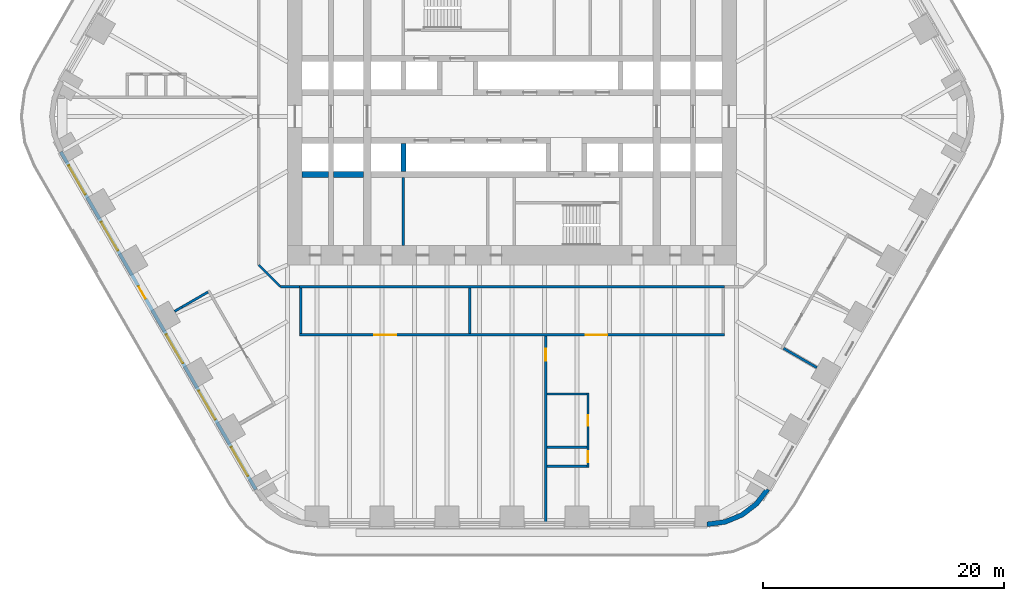
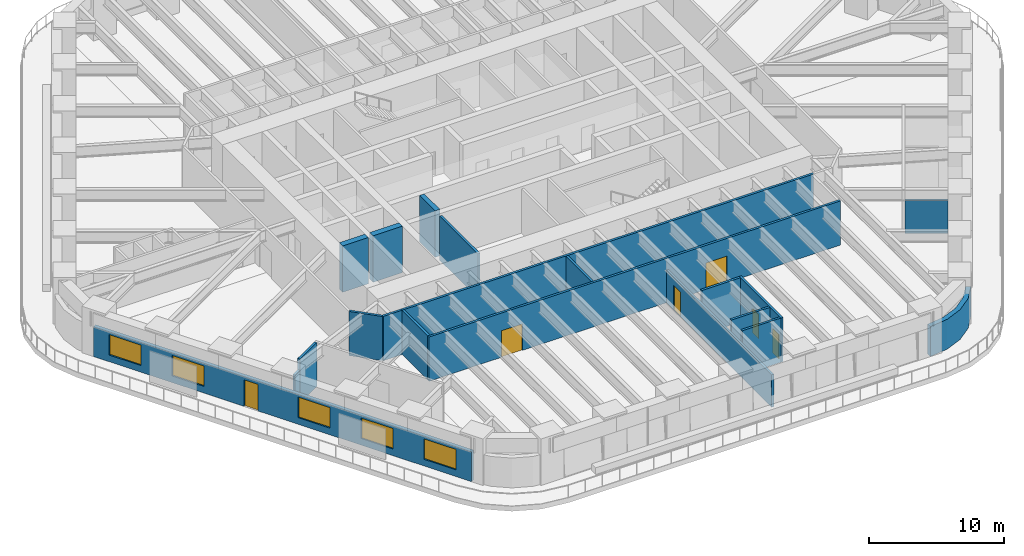
# One storey, part 16 of 23: 20 walls, 6 doors, 5 windows, 11 openings.
"""IFC4 building model written with IfcOpenShell, lengths in metres."""

from ifc_helpers import new_model, si_unit, direction, frame, frame_2d, origin, place, context, subcontext, project, spatial, polyline, rectangle, outline, extrude, material, layer, layer_set, type_object, element, fill, save


model = new_model("IFC4")

# Units and contexts
model_context = context("Model", 3, precision=1e-05, world=origin(), true_north=direction((0.0, 1.0)))
body_context = subcontext(model_context, "Body", "Model", "MODEL_VIEW")
ifc_project = project(units=[si_unit("LENGTHUNIT", "METRE"), si_unit("AREAUNIT", "SQUARE_METRE"), si_unit("VOLUMEUNIT", "CUBIC_METRE"), si_unit("PLANEANGLEUNIT", "RADIAN"), si_unit("MASSUNIT", "GRAM", prefix="KILO")], contexts=[model_context])

# Site, building, storey
site_placement = place(None, origin())
site = spatial("IfcSite", under=ifc_project, at=site_placement, CompositionType="ELEMENT")
building_placement = place(site_placement, origin())
building = spatial("IfcBuilding", under=site, at=building_placement, Name="Tarfa Lantern Tower", CompositionType="ELEMENT")
storey_placement = place(building_placement, frame((0.0, 0.0, 78.10009765625)))
storey = spatial("IfcBuildingStorey", under=building, at=storey_placement, Name="L17", CompositionType="ELEMENT", Elevation=78.10009765625)

# Wall, openings, door, windows
ifc_material_1 = material(Name="Limestone cladding on blockwork", Category="masonry")
ifc_layer_1 = layer(ifc_material_1, 0.300048828125)
ifc_layer_set_1 = layer_set([ifc_layer_1], Name="EW1 STONE-CLAD WALL 300")
wall_type_1 = type_object("IfcWallType", Name="EW1 STONE-CLAD WALL 300", PredefinedType="SOLIDWALL", material=ifc_layer_set_1)
wall_1_placement = place(storey_placement, frame((-37.39794921875, -2.925048828125, 0.0), z_axis=(0.0, 0.0, 1.0), x_axis=(0.499999163675, -0.866025886636, 0.0)))
wall_1 = element("IfcWall", 1, at=wall_1_placement, inside=storey, type_object=wall_type_1, Name="Stone wall SW", PredefinedType="SOLIDWALL", context=body_context, shape_type="SweptSolid", body=[
    extrude(rectangle(XDim=32.33154296875, YDim=0.300048828125, at=frame_2d((16.165771484375, 0.0))), origin(), (0.0, 0.0, 1.0), 2.699951171875),
])
opening_1_placement = place(wall_1_placement, frame((1.3193359375, 0.0, 0.60009765625)))
opening_1 = element("IfcOpeningElement", 2, at=opening_1_placement, cuts=wall_1, Name="Opening W2", PredefinedType="OPENING", context=body_context, shape_type="SweptSolid", body=[
    extrude(rectangle(XDim=2.75, YDim=1.85009765625, at=frame_2d((1.375, 0.925048828125))), frame((0.0, 0.159912109375, 0.0), z_axis=(0.0, -1.0, 0.0), x_axis=(1.0, 0.0, 0.0)), (0.0, 0.0, 1.0), 0.320068359375),
])
opening_2_placement = place(wall_1_placement, frame((6.7080078125, 0.0, 0.60009765625)))
opening_2 = element("IfcOpeningElement", 3, at=opening_2_placement, cuts=wall_1, Name="Opening W2", PredefinedType="OPENING", context=body_context, shape_type="SweptSolid", body=[
    extrude(rectangle(XDim=2.75, YDim=1.85009765625, at=frame_2d((1.375, 0.925048828125))), frame((0.0, 0.159912109375, 0.0), z_axis=(0.0, -1.0, 0.0), x_axis=(1.0, 0.0, 0.0)), (0.0, 0.0, 1.0), 0.320068359375),
])
opening_3_placement = place(wall_1_placement, frame((12.87158203125, 0.0, 0.0)))
opening_3 = element("IfcOpeningElement", 4, at=opening_3_placement, cuts=wall_1, Name="Opening D49", PredefinedType="OPENING", context=body_context, shape_type="SweptSolid", body=[
    extrude(rectangle(XDim=1.199951171875, YDim=2.39990234375, at=frame_2d((0.60009765625, 1.199951171875))), frame((0.0, 0.159912109375, 0.0), z_axis=(0.0, -1.0, 0.0), x_axis=(1.0, 0.0, 0.0)), (0.0, 0.0, 1.0), 0.320068359375),
])
opening_4_placement = place(wall_1_placement, frame((17.485107421875, 0.0, 0.60009765625)))
opening_4 = element("IfcOpeningElement", 5, at=opening_4_placement, cuts=wall_1, Name="Opening W2", PredefinedType="OPENING", context=body_context, shape_type="SweptSolid", body=[
    extrude(rectangle(XDim=2.75, YDim=1.85009765625, at=frame_2d((1.375, 0.925048828125))), frame((0.0, 0.159912109375, 0.0), z_axis=(0.0, -1.0, 0.0), x_axis=(1.0, 0.0, 0.0)), (0.0, 0.0, 1.0), 0.320068359375),
])
opening_5_placement = place(wall_1_placement, frame((22.873779296875, 0.0, 0.60009765625)))
opening_5 = element("IfcOpeningElement", 6, at=opening_5_placement, cuts=wall_1, Name="Opening W2", PredefinedType="OPENING", context=body_context, shape_type="SweptSolid", body=[
    extrude(rectangle(XDim=2.75, YDim=1.85009765625, at=frame_2d((1.375, 0.925048828125))), frame((0.0, 0.159912109375, 0.0), z_axis=(0.0, -1.0, 0.0), x_axis=(1.0, 0.0, 0.0)), (0.0, 0.0, 1.0), 0.320068359375),
])
opening_6_placement = place(wall_1_placement, frame((28.26220703125, 0.0, 0.60009765625)))
opening_6 = element("IfcOpeningElement", 7, at=opening_6_placement, cuts=wall_1, Name="Opening W2", PredefinedType="OPENING", context=body_context, shape_type="SweptSolid", body=[
    extrude(rectangle(XDim=2.75, YDim=1.85009765625, at=frame_2d((1.375, 0.925048828125))), frame((0.0, 0.159912109375, 0.0), z_axis=(0.0, -1.0, 0.0), x_axis=(1.0, 0.0, 0.0)), (0.0, 0.0, 1.0), 0.320068359375),
])
ifc_material_2 = material(Name="Aluminium framed glazed door", Category="aluminium")
door_type_1 = type_object("IfcDoorType", Name="BE3 BALCONY DOOR 1200x2400", OperationType="SINGLE_SWING_RIGHT", PredefinedType="DOOR", material=ifc_material_2)
door_1_placement = place(opening_3_placement, origin())
door_1 = element("IfcDoor", 8, at=door_1_placement, inside=storey, type_object=door_type_1, Name="Balcony door SW", OperationType="SINGLE_SWING_LEFT", OverallHeight=2.39990234375, OverallWidth=1.199951171875, PredefinedType="DOOR", context=body_context, shape_type="SweptSolid", body=[
    extrude(rectangle(XDim=1.199951171875, YDim=2.39990234375, at=frame_2d((0.60009765625, 1.199951171875))), frame((0.0, 0.02490234375, 0.0), z_axis=(0.0, -1.0, 0.0), x_axis=(1.0, 0.0, 0.0)), (0.0, 0.0, 1.0), 0.050048828125),
])
fill(opening_3, door_1)
ifc_material_3 = material(Name="Aluminium frame, double glazed", Category="aluminium")
window_type = type_object("IfcWindowType", Name="W2 FULL-HEIGHT GLAZING 2750x1850", PartitioningType="SINGLE_PANEL", PredefinedType="WINDOW", material=ifc_material_3)
window_1_placement = place(opening_1_placement, origin())
window_1 = element("IfcWindow", 9, at=window_1_placement, inside=storey, type_object=window_type, Name="Window SW 1", OverallHeight=1.85009765625, OverallWidth=2.75, PartitioningType="SINGLE_PANEL", PredefinedType="WINDOW", context=body_context, shape_type="SweptSolid", body=[
    extrude(rectangle(XDim=2.75, YDim=1.85009765625, at=frame_2d((1.375, 0.925048828125))), frame((0.0, 0.030029296875, 0.0), z_axis=(0.0, -1.0, 0.0), x_axis=(1.0, 0.0, 0.0)), (0.0, 0.0, 1.0), 0.06005859375),
])
fill(opening_1, window_1)
window_2_placement = place(opening_2_placement, origin())
window_2 = element("IfcWindow", 10, at=window_2_placement, inside=storey, type_object=window_type, Name="Window SW 2", OverallHeight=1.85009765625, OverallWidth=2.75, PartitioningType="SINGLE_PANEL", PredefinedType="WINDOW", context=body_context, shape_type="SweptSolid", body=[
    extrude(rectangle(XDim=2.75, YDim=1.85009765625, at=frame_2d((1.375, 0.925048828125))), frame((0.0, 0.030029296875, 0.0), z_axis=(0.0, -1.0, 0.0), x_axis=(1.0, 0.0, 0.0)), (0.0, 0.0, 1.0), 0.06005859375),
])
fill(opening_2, window_2)
window_3_placement = place(opening_4_placement, origin())
window_3 = element("IfcWindow", 11, at=window_3_placement, inside=storey, type_object=window_type, Name="Window SW 4", OverallHeight=1.85009765625, OverallWidth=2.75, PartitioningType="SINGLE_PANEL", PredefinedType="WINDOW", context=body_context, shape_type="SweptSolid", body=[
    extrude(rectangle(XDim=2.75, YDim=1.85009765625, at=frame_2d((1.375, 0.925048828125))), frame((0.0, 0.030029296875, 0.0), z_axis=(0.0, -1.0, 0.0), x_axis=(1.0, 0.0, 0.0)), (0.0, 0.0, 1.0), 0.06005859375),
])
fill(opening_4, window_3)
window_4_placement = place(opening_5_placement, origin())
window_4 = element("IfcWindow", 12, at=window_4_placement, inside=storey, type_object=window_type, Name="Window SW 5", OverallHeight=1.85009765625, OverallWidth=2.75, PartitioningType="SINGLE_PANEL", PredefinedType="WINDOW", context=body_context, shape_type="SweptSolid", body=[
    extrude(rectangle(XDim=2.75, YDim=1.85009765625, at=frame_2d((1.375, 0.925048828125))), frame((0.0, 0.030029296875, 0.0), z_axis=(0.0, -1.0, 0.0), x_axis=(1.0, 0.0, 0.0)), (0.0, 0.0, 1.0), 0.06005859375),
])
fill(opening_5, window_4)
window_5_placement = place(opening_6_placement, origin())
window_5 = element("IfcWindow", 13, at=window_5_placement, inside=storey, type_object=window_type, Name="Window SW 6", OverallHeight=1.85009765625, OverallWidth=2.75, PartitioningType="SINGLE_PANEL", PredefinedType="WINDOW", context=body_context, shape_type="SweptSolid", body=[
    extrude(rectangle(XDim=2.75, YDim=1.85009765625, at=frame_2d((1.375, 0.925048828125))), frame((0.0, 0.030029296875, 0.0), z_axis=(0.0, -1.0, 0.0), x_axis=(1.0, 0.0, 0.0)), (0.0, 0.0, 1.0), 0.06005859375),
])
fill(opening_6, window_5)

# Walls
ifc_layer_2 = layer(ifc_material_1, 0.39990234375)
ifc_layer_set_2 = layer_set([ifc_layer_2], Name="EW2 CURVED STONE CORNER 400")
wall_type_2 = type_object("IfcWallType", Name="EW2 CURVED STONE CORNER 400", PredefinedType="SOLIDWALL", material=ifc_layer_set_2)
wall_2_placement = place(storey_placement, origin())
element("IfcWall", 14, at=wall_2_placement, inside=storey, type_object=wall_type_2, Name="Stone corner S-SE", PredefinedType="SOLIDWALL", context=body_context, shape_type="SweptSolid", body=[
    extrude(outline(polyline([(16.165771484375, -34.0), (17.71875, -33.795654296875), (19.165771484375, -33.196044921875), (20.408447265625, -32.24267578125), (21.362060546875, -31.0), (21.015625, -30.800048828125), (20.12548828125, -31.959716796875), (18.9658203125, -32.849853515625), (17.615234375, -33.4091796875), (16.165771484375, -33.60009765625), (16.165771484375, -34.0)])), origin(), (0.0, 0.0, 1.0), 2.699951171875),
])
ifc_material_4 = material(Name="Concrete blockwork", Category="masonry")
ifc_layer_3 = layer(ifc_material_4, 0.199951171875)
ifc_layer_set_3 = layer_set([ifc_layer_3], Name="IW1 BLOCKWORK PARTITION 200 EI 120")
wall_type_3 = type_object("IfcWallType", Name="IW1 BLOCKWORK PARTITION 200 EI 120", PredefinedType="PARTITIONING", material=ifc_layer_set_3)
wall_3_placement = place(storey_placement, frame((-9.0, -5.050048828125, 0.0), z_axis=(0.0, 0.0, 1.0), x_axis=(0.0, -1.0, 0.0)))
element("IfcWall", 15, at=wall_3_placement, inside=storey, type_object=wall_type_3, Name="Core partition", PredefinedType="PARTITIONING", context=body_context, shape_type="SweptSolid", body=[
    extrude(rectangle(XDim=5.64990234375, YDim=0.199951171875, at=frame_2d((2.824951171875, 0.0))), origin(), (0.0, 0.0, 1.0), 4.0),
])
ifc_material_5 = material(Name="Gypsum board on steel studs", Category="steel")
ifc_layer_4 = layer(ifc_material_5, 0.2099609375)
ifc_layer_set_4 = layer_set([ifc_layer_4], Name="IW2 ACOUSTIC PARTITION 200")
wall_type_4 = type_object("IfcWallType", Name="IW2 ACOUSTIC PARTITION 200", PredefinedType="PARTITIONING", material=ifc_layer_set_4)
wall_4_placement = place(storey_placement, frame((17.60009765625, -14.10009765625, 0.0), z_axis=(0.0, 0.0, 1.0), x_axis=(-1.0, 0.0, 0.0)))
element("IfcWall", 16, at=wall_4_placement, inside=storey, type_object=wall_type_4, Name="Partition", PredefinedType="PARTITIONING", context=body_context, shape_type="SweptSolid", body=[
    extrude(rectangle(XDim=35.2001953125, YDim=0.199951171875, at=frame_2d((17.60009765625, 0.0))), origin(), (0.0, 0.0, 1.0), 4.0),
])

# Wall, openings, doors
wall_5_placement = place(storey_placement, frame((17.60009765625, -18.10009765625, 0.0), z_axis=(0.0, 0.0, 1.0), x_axis=(-1.0, 0.0, 0.0)))
wall_5 = element("IfcWall", 17, at=wall_5_placement, inside=storey, type_object=wall_type_4, Name="Partition", PredefinedType="PARTITIONING", context=body_context, shape_type="SweptSolid", body=[
    extrude(rectangle(XDim=35.2001953125, YDim=0.199951171875, at=frame_2d((17.60009765625, 0.0))), origin(), (0.0, 0.0, 1.0), 4.0),
])
opening_7_placement = place(wall_5_placement, frame((9.699951171875, 0.0, 0.0)))
opening_7 = element("IfcOpeningElement", 18, at=opening_7_placement, cuts=wall_5, Name="Opening D35", PredefinedType="OPENING", context=body_context, shape_type="SweptSolid", body=[
    extrude(rectangle(XDim=1.800048828125, YDim=2.39990234375, at=frame_2d((0.89990234375, 1.199951171875))), frame((0.0, 0.10986328125, 0.0), z_axis=(0.0, -1.0, 0.0), x_axis=(1.0, 0.0, 0.0)), (0.0, 0.0, 1.0), 0.219970703125),
])
opening_8_placement = place(wall_5_placement, frame((27.199951171875, 0.0, 0.0)))
opening_8 = element("IfcOpeningElement", 19, at=opening_8_placement, cuts=wall_5, Name="Opening D36", PredefinedType="OPENING", context=body_context, shape_type="SweptSolid", body=[
    extrude(rectangle(XDim=1.800048828125, YDim=2.39990234375, at=frame_2d((0.89990234375, 1.199951171875))), frame((0.0, 0.10986328125, 0.0), z_axis=(0.0, -1.0, 0.0), x_axis=(1.0, 0.0, 0.0)), (0.0, 0.0, 1.0), 0.219970703125),
])
ifc_material_6 = material(Name="Timber door", Category="wood")
door_type_2 = type_object("IfcDoorType", Name="DR2 ROOM DOOR 1800x2400", OperationType="DOUBLE_DOOR_SINGLE_SWING", PredefinedType="DOOR", material=ifc_material_6)
door_2_placement = place(opening_7_placement, frame((1.800048828125, 0.0, 0.0), z_axis=(0.0, 0.0, 1.0), x_axis=(-1.0, 0.0, 0.0)))
door_2 = element("IfcDoor", 20, at=door_2_placement, inside=storey, type_object=door_type_2, Name="File room door", OperationType="DOUBLE_DOOR_SINGLE_SWING", OverallHeight=2.39990234375, OverallWidth=1.800048828125, PredefinedType="DOOR", context=body_context, shape_type="SweptSolid", body=[
    extrude(rectangle(XDim=1.800048828125, YDim=2.39990234375, at=frame_2d((0.89990234375, 1.199951171875))), frame((0.0, 0.02490234375, 0.0), z_axis=(0.0, -1.0, 0.0), x_axis=(1.0, 0.0, 0.0)), (0.0, 0.0, 1.0), 0.050048828125),
])
fill(opening_7, door_2)
door_3_placement = place(opening_8_placement, frame((1.800048828125, 0.0, 0.0), z_axis=(0.0, 0.0, 1.0), x_axis=(-1.0, 0.0, 0.0)))
door_3 = element("IfcDoor", 21, at=door_3_placement, inside=storey, type_object=door_type_2, Name="Print room door", OperationType="DOUBLE_DOOR_SINGLE_SWING", OverallHeight=2.39990234375, OverallWidth=1.800048828125, PredefinedType="DOOR", context=body_context, shape_type="SweptSolid", body=[
    extrude(rectangle(XDim=1.800048828125, YDim=2.39990234375, at=frame_2d((0.89990234375, 1.199951171875))), frame((0.0, 0.02490234375, 0.0), z_axis=(0.0, -1.0, 0.0), x_axis=(1.0, 0.0, 0.0)), (0.0, 0.0, 1.0), 0.050048828125),
])
fill(opening_8, door_3)

# Walls
for number, where, z_axis, x_axis, name in (
    (22, (-3.5, -14.199951171875, 0.0), (0.0, 0.0, 1.0), (0.0, -1.0, 0.0), "Partition"),
    (23, (-17.5, -14.199951171875, 0.0), (0.0, 0.0, 1.0), (0.0, -1.0, 0.0), "Partition"),
):
    element("IfcWall", number, at=place(storey_placement, frame(where, z_axis=z_axis, x_axis=x_axis)), inside=storey, type_object=wall_type_4, Name=name, PredefinedType="PARTITIONING", context=body_context, shape_type="SweptSolid", body=[
        extrude(rectangle(XDim=3.800048828125, YDim=0.199951171875, at=frame_2d((1.89990234375, 0.0))), origin(), (0.0, 0.0, 1.0), 4.0),
    ])
wall_6_placement = place(storey_placement, frame((22.507080078125, -19.216552734375, 0.0), z_axis=(0.0, 0.0, 1.0), x_axis=(0.866008981251, -0.500028443584, 0.0)))
element("IfcWall", 24, at=wall_6_placement, inside=storey, type_object=wall_type_4, Name="Partition", PredefinedType="PARTITIONING", context=body_context, shape_type="SweptSolid", body=[
    extrude(rectangle(XDim=3.199951171875, YDim=0.199951171875, at=frame_2d((1.60009765625, 0.0))), origin(), (0.0, 0.0, 1.0), 2.99169921875),
])
wall_7_placement = place(storey_placement, frame((-25.201416015625, -14.550048828125, 0.0), z_axis=(0.0, 0.0, 1.0), x_axis=(-0.866020232408, -0.500008956979, 0.0)))
element("IfcWall", 25, at=wall_7_placement, inside=storey, type_object=wall_type_4, Name="Partition", PredefinedType="PARTITIONING", context=body_context, shape_type="SweptSolid", body=[
    extrude(rectangle(XDim=2.4833984375, YDim=0.199951171875, at=frame_2d((1.24169921875, 0.0))), origin(), (0.0, 0.0, 1.0), 4.0),
])
wall_8_placement = place(storey_placement, frame((-27.35205078125, -15.791748046875, 0.0), z_axis=(0.0, 0.0, 1.0), x_axis=(-0.866117509073, -0.499840435016, 0.0)))
element("IfcWall", 26, at=wall_8_placement, inside=storey, type_object=wall_type_4, Name="Partition", PredefinedType="PARTITIONING", context=body_context, shape_type="SweptSolid", body=[
    extrude(rectangle(XDim=0.716552734375, YDim=0.199951171875, at=frame_2d((0.3583984375, 0.0))), origin(), (0.0, 0.0, 1.0), 2.99169921875),
])
wall_9_placement = place(storey_placement, frame((-17.60009765625, -14.10009765625, 0.0), z_axis=(0.0, 0.0, 1.0), x_axis=(-1.0, 0.0, 0.0)))
element("IfcWall", 27, at=wall_9_placement, inside=storey, type_object=wall_type_4, Name="Partition", PredefinedType="PARTITIONING", context=body_context, shape_type="SweptSolid", body=[
    extrude(rectangle(XDim=1.599853515625, YDim=0.199951171875, at=frame_2d((0.7998046875, 0.0))), origin(), (0.0, 0.0, 1.0), 4.0),
])
wall_10_placement = place(storey_placement, frame((-19.199951171875, -14.10009765625, 0.0), z_axis=(0.0, 0.0, 1.0), x_axis=(-0.707106781187, 0.707106781187, 0.0)))
element("IfcWall", 28, at=wall_10_placement, inside=storey, type_object=wall_type_4, Name="Partition", PredefinedType="PARTITIONING", context=body_context, shape_type="SweptSolid", body=[
    extrude(rectangle(XDim=2.545654296875, YDim=0.199951171875, at=frame_2d((1.27294921875, 0.0))), origin(), (0.0, 0.0, 1.0), 4.0),
])

# Wall, opening, door
wall_11_placement = place(storey_placement, frame((2.800048828125, -18.199951171875, 0.0), z_axis=(0.0, 0.0, 1.0), x_axis=(0.0, -1.0, 0.0)))
wall_11 = element("IfcWall", 29, at=wall_11_placement, inside=storey, type_object=wall_type_4, Name="Partition", PredefinedType="PARTITIONING", context=body_context, shape_type="SweptSolid", body=[
    extrude(rectangle(XDim=15.60009765625, YDim=0.199951171875, at=frame_2d((7.800048828125, 0.0))), origin(), (0.0, 0.0, 1.0), 2.94384765625),
])
opening_9_placement = place(wall_11_placement, frame((1.06005859375, 0.0, 0.0)))
opening_9 = element("IfcOpeningElement", 30, at=opening_9_placement, cuts=wall_11, Name="Opening D45", PredefinedType="OPENING", context=body_context, shape_type="SweptSolid", body=[
    extrude(rectangle(XDim=1.0, YDim=2.199951171875, at=frame_2d((0.5, 1.10009765625))), frame((0.0, 0.10986328125, 0.0), z_axis=(0.0, -1.0, 0.0), x_axis=(1.0, 0.0, 0.0)), (0.0, 0.0, 1.0), 0.219970703125),
])
door_type_3 = type_object("IfcDoorType", Name="DR1 ROOM DOOR 1000x2200", OperationType="SINGLE_SWING_LEFT", PredefinedType="DOOR", material=ifc_material_6)
door_4_placement = place(opening_9_placement, frame((1.0, 0.0, 0.0), z_axis=(0.0, 0.0, 1.0), x_axis=(-1.0, 0.0, 0.0)))
door_4 = element("IfcDoor", 31, at=door_4_placement, inside=storey, type_object=door_type_3, Name="Zone door", OperationType="SINGLE_SWING_LEFT", OverallHeight=2.199951171875, OverallWidth=1.0, PredefinedType="DOOR", context=body_context, shape_type="SweptSolid", body=[
    extrude(rectangle(XDim=1.0, YDim=2.199951171875, at=frame_2d((0.5, 1.10009765625))), frame((0.0, 0.02490234375, 0.0), z_axis=(0.0, -1.0, 0.0), x_axis=(1.0, 0.0, 0.0)), (0.0, 0.0, 1.0), 0.050048828125),
])
fill(opening_9, door_4)

# Wall, openings, doors
wall_12_placement = place(storey_placement, frame((6.300048828125, -22.89990234375, 0.0), z_axis=(0.0, 0.0, 1.0), x_axis=(0.0, -1.0, 0.0)))
wall_12 = element("IfcWall", 32, at=wall_12_placement, inside=storey, type_object=wall_type_4, Name="Partition", PredefinedType="PARTITIONING", context=body_context, shape_type="SweptSolid", body=[
    extrude(rectangle(XDim=6.2001953125, YDim=0.199951171875, at=frame_2d((3.10009765625, 0.0))), origin(), (0.0, 0.0, 1.0), 4.0),
])
opening_10_placement = place(wall_12_placement, frame((1.85009765625, 0.0, 0.0)))
opening_10 = element("IfcOpeningElement", 33, at=opening_10_placement, cuts=wall_12, Name="Opening D37", PredefinedType="OPENING", context=body_context, shape_type="SweptSolid", body=[
    extrude(rectangle(XDim=0.89990234375, YDim=2.199951171875, at=frame_2d((0.449951171875, 1.10009765625))), frame((0.0, 0.10986328125, 0.0), z_axis=(0.0, -1.0, 0.0), x_axis=(1.0, 0.0, 0.0)), (0.0, 0.0, 1.0), 0.219970703125),
])
opening_11_placement = place(wall_12_placement, frame((4.85009765625, 0.0, 0.0)))
opening_11 = element("IfcOpeningElement", 34, at=opening_11_placement, cuts=wall_12, Name="Opening D38", PredefinedType="OPENING", context=body_context, shape_type="SweptSolid", body=[
    extrude(rectangle(XDim=0.89990234375, YDim=2.199951171875, at=frame_2d((0.449951171875, 1.10009765625))), frame((0.0, 0.10986328125, 0.0), z_axis=(0.0, -1.0, 0.0), x_axis=(1.0, 0.0, 0.0)), (0.0, 0.0, 1.0), 0.219970703125),
])
door_type_4 = type_object("IfcDoorType", Name="DR3 ROOM DOOR 900x2200", OperationType="SINGLE_SWING_LEFT", PredefinedType="DOOR", material=ifc_material_6)
door_5_placement = place(opening_10_placement, frame((0.89990234375, 0.0, 0.0), z_axis=(0.0, 0.0, 1.0), x_axis=(-1.0, 0.0, 0.0)))
door_5 = element("IfcDoor", 35, at=door_5_placement, inside=storey, type_object=door_type_4, Name="Meeting room door", OperationType="SINGLE_SWING_LEFT", OverallHeight=2.199951171875, OverallWidth=0.89990234375, PredefinedType="DOOR", context=body_context, shape_type="SweptSolid", body=[
    extrude(rectangle(XDim=0.89990234375, YDim=2.199951171875, at=frame_2d((0.449951171875, 1.10009765625))), frame((0.0, 0.02490234375, 0.0), z_axis=(0.0, -1.0, 0.0), x_axis=(1.0, 0.0, 0.0)), (0.0, 0.0, 1.0), 0.050048828125),
])
fill(opening_10, door_5)
door_6_placement = place(opening_11_placement, frame((0.89990234375, 0.0, 0.0), z_axis=(0.0, 0.0, 1.0), x_axis=(-1.0, 0.0, 0.0)))
door_6 = element("IfcDoor", 36, at=door_6_placement, inside=storey, type_object=door_type_4, Name="Phone booth door", OperationType="SINGLE_SWING_RIGHT", OverallHeight=2.199951171875, OverallWidth=0.89990234375, PredefinedType="DOOR", context=body_context, shape_type="SweptSolid", body=[
    extrude(rectangle(XDim=0.89990234375, YDim=2.199951171875, at=frame_2d((0.449951171875, 1.10009765625))), frame((0.0, 0.02490234375, 0.0), z_axis=(0.0, -1.0, 0.0), x_axis=(1.0, 0.0, 0.0)), (0.0, 0.0, 1.0), 0.050048828125),
])
fill(opening_11, door_6)

# Walls
for number, where, z_axis, x_axis, name in (
    (37, (2.89990234375, -23.0, 0.0), (0.0, 0.0, 1.0), (1.0, 0.0, 0.0), "Partition"),
    (38, (2.89990234375, -27.39990234375, 0.0), (0.0, 0.0, 1.0), (1.0, 0.0, 0.0), "Partition"),
    (39, (2.89990234375, -29.0, 0.0), (0.0, 0.0, 1.0), (1.0, 0.0, 0.0), "Partition"),
):
    element("IfcWall", number, at=place(storey_placement, frame(where, z_axis=z_axis, x_axis=x_axis)), inside=storey, type_object=wall_type_4, Name=name, PredefinedType="PARTITIONING", context=body_context, shape_type="SweptSolid", body=[
        extrude(rectangle(XDim=3.300048828125, YDim=0.199951171875, at=frame_2d((1.64990234375, 0.0))), origin(), (0.0, 0.0, 1.0), 4.0),
    ])
ifc_material_7 = material(Name="Concrete C80/95", Category="concrete")
ifc_layer_5 = layer(ifc_material_7, 0.5)
ifc_layer_set_5 = layer_set([ifc_layer_5], Name="SW5 CORE WALL 500")
wall_type_5 = type_object("IfcWallType", Name="SW5 CORE WALL 500", PredefinedType="SHEAR", material=ifc_layer_set_5)
wall_13_placement = place(storey_placement, frame((-12.300048828125, -4.800048828125, 0.0), z_axis=(0.0, 0.0, 1.0), x_axis=(-1.0, 0.0, 0.0)))
element("IfcWall", 40, at=wall_13_placement, inside=storey, type_object=wall_type_5, Name="Core wall rear S", PredefinedType="SHEAR", context=body_context, shape_type="SweptSolid", body=[
    extrude(rectangle(XDim=2.5, YDim=0.5, at=frame_2d((1.25, 0.0))), origin(), (0.0, 0.0, 1.0), 4.199951171875),
])
wall_14_placement = place(storey_placement, frame((-15.199951171875, -4.800048828125, 0.0), z_axis=(0.0, 0.0, 1.0), x_axis=(-1.0, 0.0, 0.0)))
element("IfcWall", 41, at=wall_14_placement, inside=storey, type_object=wall_type_5, Name="Core wall rear S", PredefinedType="SHEAR", context=body_context, shape_type="SweptSolid", body=[
    extrude(rectangle(XDim=2.199951171875, YDim=0.5, at=frame_2d((1.10009765625, 0.0))), origin(), (0.0, 0.0, 1.0), 4.199951171875),
])
ifc_layer_6 = layer(ifc_material_7, 0.39990234375)
ifc_layer_set_6 = layer_set([ifc_layer_6], Name="SW6 CORE WALL 400")
wall_type_6 = type_object("IfcWallType", Name="SW6 CORE WALL 400", PredefinedType="SHEAR", material=ifc_layer_set_6)
wall_15_placement = place(storey_placement, frame((-9.0, -2.25, 0.0), z_axis=(0.0, 0.0, 1.0), x_axis=(0.0, -1.0, 0.0)))
element("IfcWall", 42, at=wall_15_placement, inside=storey, type_object=wall_type_6, Name="Core wall divider S", PredefinedType="SHEAR", context=body_context, shape_type="SweptSolid", body=[
    extrude(rectangle(XDim=2.300048828125, YDim=0.39990234375, at=frame_2d((1.14990234375, 0.0))), origin(), (0.0, 0.0, 1.0), 4.199951171875),
])

save(model, "model.ifc")
